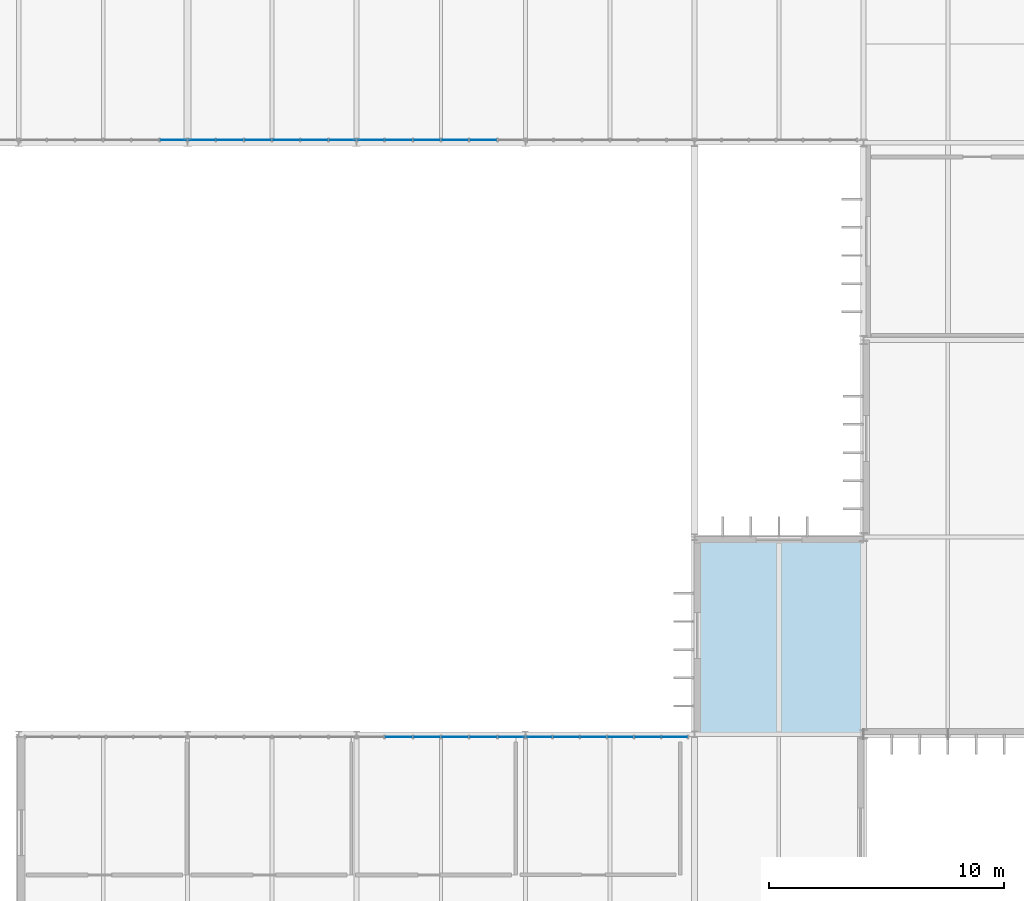
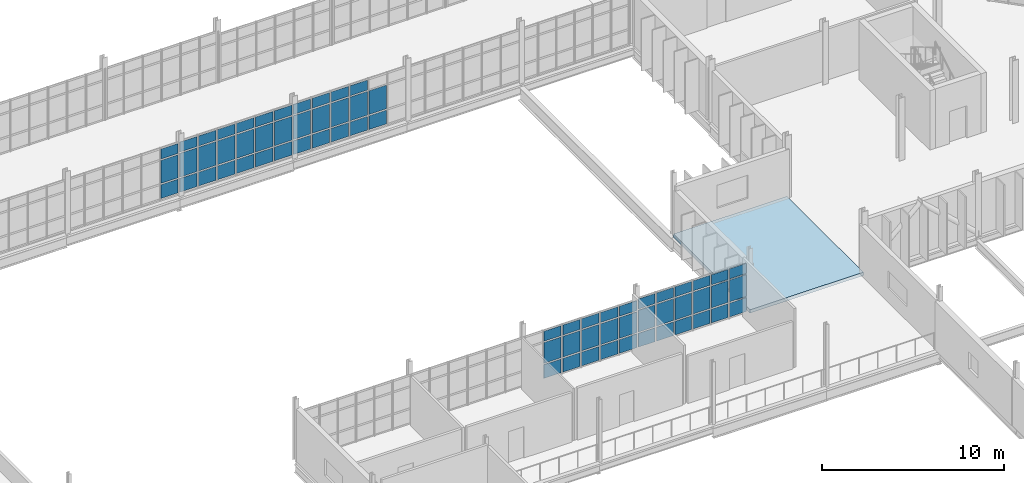
# One storey, part 70 of 119: 68 plates, 1 slab, 5 elements without a shape of their own.
"""IFC4 building model written with IfcOpenShell, lengths in metres."""

from ifc_helpers import new_model, si_unit, direction, frame, origin, origin_2d, place, context, subcontext, project, spatial, polyline, rectangle, outline, extrude, material, layer, layer_set, type_object, element, aggregate, save


model = new_model("IFC4")

# Units and contexts
model_context = context("Model", 3, precision=1e-05, world=origin(), true_north=direction((0.0, 1.0)))
body_context = subcontext(model_context, "Body", "Model", "MODEL_VIEW")
ifc_project = project(units=[si_unit("LENGTHUNIT", "METRE"), si_unit("AREAUNIT", "SQUARE_METRE"), si_unit("VOLUMEUNIT", "CUBIC_METRE"), si_unit("PLANEANGLEUNIT", "RADIAN"), si_unit("MASSUNIT", "GRAM", prefix="KILO")], contexts=[model_context])

# Site, building, storey
site_placement = place(None, origin())
site = spatial("IfcSite", under=ifc_project, at=site_placement, CompositionType="ELEMENT")
building_placement = place(site_placement, origin())
building = spatial("IfcBuilding", under=site, at=building_placement, Name="Qelthora Terrace Specialist Clinic", CompositionType="ELEMENT")
storey_placement = place(building_placement, frame((0.0, 0.0, 4.800048828125)))
storey = spatial("IfcBuildingStorey", under=building, at=storey_placement, Name="L01", CompositionType="ELEMENT", Elevation=4.800048828125)

# Curtain wall, plates
ifc_material_1 = material(Name="Aluminium anodized bronze", Category="aluminium")
curtain_wall_type_1 = type_object("IfcCurtainWallType", Name="CW-HALL-L01", PredefinedType="NOTDEFINED", material=ifc_material_1)
curtain_wall_1_placement = place(storey_placement, origin())
curtain_wall_1 = element("IfcCurtainWall", 1, at=curtain_wall_1_placement, inside=storey, type_object=curtain_wall_type_1, Name="Curtain wall CW-L01-226", PredefinedType="NOTDEFINED")
ifc_material_2 = material(Name="Low-E triple-silver insulating glass", Category="glass")
ifc_layer_1 = layer(ifc_material_2, 0.035888671875)
ifc_layer_set_1 = layer_set([ifc_layer_1], Name="Low-E triple-silver insulating glass")
plate_type = type_object("IfcPlateType", Name="CWP-IGU-36", PredefinedType="CURTAIN_PANEL", material=ifc_layer_set_1)
plate_1_placement = place(storey_placement, frame((73.800048828125, 33.47998046875, 0.0849609375), z_axis=(0.0, 0.0, 1.0), x_axis=(1.0, 0.0, 0.0)))
plate_1 = element("IfcPlate", 2, at=plate_1_placement, type_object=plate_type, Name="CW-L01-226 glazed panel 4", PredefinedType="CURTAIN_PANEL", context=body_context, shape_type="SweptSolid", body=[
    extrude(rectangle(XDim=1.10009765625, YDim=0.035888671875, at=origin_2d()), origin(), (0.0, 0.0, 1.0), 0.919921875),
])
plate_2_placement = place(storey_placement, frame((73.800048828125, 33.47998046875, 1.09521484375), z_axis=(0.0, 0.0, 1.0), x_axis=(1.0, 0.0, 0.0)))
plate_2 = element("IfcPlate", 3, at=plate_2_placement, type_object=plate_type, Name="CW-L01-226 glazed panel 5", PredefinedType="CURTAIN_PANEL", context=body_context, shape_type="SweptSolid", body=[
    extrude(rectangle(XDim=1.10009765625, YDim=0.035888671875, at=origin_2d()), origin(), (0.0, 0.0, 1.0), 1.389892578125),
])
plate_3_placement = place(storey_placement, frame((73.800048828125, 33.47998046875, 2.574951171875), z_axis=(0.0, 0.0, 1.0), x_axis=(1.0, 0.0, 0.0)))
plate_3 = element("IfcPlate", 4, at=plate_3_placement, type_object=plate_type, Name="CW-L01-226 glazed panel 6", PredefinedType="CURTAIN_PANEL", context=body_context, shape_type="SweptSolid", body=[
    extrude(rectangle(XDim=1.10009765625, YDim=0.035888671875, at=origin_2d()), origin(), (0.0, 0.0, 1.0), 0.669921875),
])
plate_4_placement = place(storey_placement, frame((75.0, 33.47998046875, 0.0849609375), z_axis=(0.0, 0.0, 1.0), x_axis=(1.0, 0.0, 0.0)))
plate_4 = element("IfcPlate", 5, at=plate_4_placement, type_object=plate_type, Name="CW-L01-226 glazed panel 7", PredefinedType="CURTAIN_PANEL", context=body_context, shape_type="SweptSolid", body=[
    extrude(rectangle(XDim=1.10009765625, YDim=0.035888671875, at=origin_2d()), origin(), (0.0, 0.0, 1.0), 0.919921875),
])
plate_5_placement = place(storey_placement, frame((75.0, 33.47998046875, 1.09521484375), z_axis=(0.0, 0.0, 1.0), x_axis=(1.0, 0.0, 0.0)))
plate_5 = element("IfcPlate", 6, at=plate_5_placement, type_object=plate_type, Name="CW-L01-226 glazed panel 8", PredefinedType="CURTAIN_PANEL", context=body_context, shape_type="SweptSolid", body=[
    extrude(rectangle(XDim=1.10009765625, YDim=0.035888671875, at=origin_2d()), origin(), (0.0, 0.0, 1.0), 1.389892578125),
])
plate_6_placement = place(storey_placement, frame((75.0, 33.47998046875, 2.574951171875), z_axis=(0.0, 0.0, 1.0), x_axis=(1.0, 0.0, 0.0)))
plate_6 = element("IfcPlate", 7, at=plate_6_placement, type_object=plate_type, Name="CW-L01-226 glazed panel 9", PredefinedType="CURTAIN_PANEL", context=body_context, shape_type="SweptSolid", body=[
    extrude(rectangle(XDim=1.10009765625, YDim=0.035888671875, at=origin_2d()), origin(), (0.0, 0.0, 1.0), 0.669921875),
])
plate_7_placement = place(storey_placement, frame((76.199951171875, 33.47998046875, 0.0849609375), z_axis=(0.0, 0.0, 1.0), x_axis=(1.0, 0.0, 0.0)))
plate_7 = element("IfcPlate", 8, at=plate_7_placement, type_object=plate_type, Name="CW-L01-226 glazed panel 10", PredefinedType="CURTAIN_PANEL", context=body_context, shape_type="SweptSolid", body=[
    extrude(rectangle(XDim=1.10009765625, YDim=0.035888671875, at=origin_2d()), origin(), (0.0, 0.0, 1.0), 0.919921875),
])
plate_8_placement = place(storey_placement, frame((76.199951171875, 33.47998046875, 1.09521484375), z_axis=(0.0, 0.0, 1.0), x_axis=(1.0, 0.0, 0.0)))
plate_8 = element("IfcPlate", 9, at=plate_8_placement, type_object=plate_type, Name="CW-L01-226 glazed panel 11", PredefinedType="CURTAIN_PANEL", context=body_context, shape_type="SweptSolid", body=[
    extrude(rectangle(XDim=1.10009765625, YDim=0.035888671875, at=origin_2d()), origin(), (0.0, 0.0, 1.0), 1.389892578125),
])
plate_9_placement = place(storey_placement, frame((76.199951171875, 33.47998046875, 2.574951171875), z_axis=(0.0, 0.0, 1.0), x_axis=(1.0, 0.0, 0.0)))
plate_9 = element("IfcPlate", 10, at=plate_9_placement, type_object=plate_type, Name="CW-L01-226 glazed panel 12", PredefinedType="CURTAIN_PANEL", context=body_context, shape_type="SweptSolid", body=[
    extrude(rectangle(XDim=1.10009765625, YDim=0.035888671875, at=origin_2d()), origin(), (0.0, 0.0, 1.0), 0.669921875),
])
plate_10_placement = place(storey_placement, frame((77.39990234375, 33.47998046875, 0.0849609375), z_axis=(0.0, 0.0, 1.0), x_axis=(1.0, 0.0, 0.0)))
plate_10 = element("IfcPlate", 11, at=plate_10_placement, type_object=plate_type, Name="CW-L01-226 glazed panel 13", PredefinedType="CURTAIN_PANEL", context=body_context, shape_type="SweptSolid", body=[
    extrude(rectangle(XDim=1.10009765625, YDim=0.035888671875, at=origin_2d()), origin(), (0.0, 0.0, 1.0), 0.919921875),
])
plate_11_placement = place(storey_placement, frame((77.39990234375, 33.47998046875, 1.09521484375), z_axis=(0.0, 0.0, 1.0), x_axis=(1.0, 0.0, 0.0)))
plate_11 = element("IfcPlate", 12, at=plate_11_placement, type_object=plate_type, Name="CW-L01-226 glazed panel 14", PredefinedType="CURTAIN_PANEL", context=body_context, shape_type="SweptSolid", body=[
    extrude(rectangle(XDim=1.10009765625, YDim=0.035888671875, at=origin_2d()), origin(), (0.0, 0.0, 1.0), 1.389892578125),
])
plate_12_placement = place(storey_placement, frame((77.39990234375, 33.47998046875, 2.574951171875), z_axis=(0.0, 0.0, 1.0), x_axis=(1.0, 0.0, 0.0)))
plate_12 = element("IfcPlate", 13, at=plate_12_placement, type_object=plate_type, Name="CW-L01-226 glazed panel 15", PredefinedType="CURTAIN_PANEL", context=body_context, shape_type="SweptSolid", body=[
    extrude(rectangle(XDim=1.10009765625, YDim=0.035888671875, at=origin_2d()), origin(), (0.0, 0.0, 1.0), 0.669921875),
])
plate_13_placement = place(storey_placement, frame((78.60009765625, 33.47998046875, 0.0849609375), z_axis=(0.0, 0.0, 1.0), x_axis=(1.0, 0.0, 0.0)))
plate_13 = element("IfcPlate", 14, at=plate_13_placement, type_object=plate_type, Name="CW-L01-226 glazed panel 16", PredefinedType="CURTAIN_PANEL", context=body_context, shape_type="SweptSolid", body=[
    extrude(rectangle(XDim=1.10009765625, YDim=0.035888671875, at=origin_2d()), origin(), (0.0, 0.0, 1.0), 0.919921875),
])
plate_14_placement = place(storey_placement, frame((78.60009765625, 33.47998046875, 1.09521484375), z_axis=(0.0, 0.0, 1.0), x_axis=(1.0, 0.0, 0.0)))
plate_14 = element("IfcPlate", 15, at=plate_14_placement, type_object=plate_type, Name="CW-L01-226 glazed panel 17", PredefinedType="CURTAIN_PANEL", context=body_context, shape_type="SweptSolid", body=[
    extrude(rectangle(XDim=1.10009765625, YDim=0.035888671875, at=origin_2d()), origin(), (0.0, 0.0, 1.0), 1.389892578125),
])
plate_15_placement = place(storey_placement, frame((78.60009765625, 33.47998046875, 2.574951171875), z_axis=(0.0, 0.0, 1.0), x_axis=(1.0, 0.0, 0.0)))
plate_15 = element("IfcPlate", 16, at=plate_15_placement, type_object=plate_type, Name="CW-L01-226 glazed panel 18", PredefinedType="CURTAIN_PANEL", context=body_context, shape_type="SweptSolid", body=[
    extrude(rectangle(XDim=1.10009765625, YDim=0.035888671875, at=origin_2d()), origin(), (0.0, 0.0, 1.0), 0.669921875),
])
aggregate(curtain_wall_1, [plate_1, plate_2, plate_3, plate_4, plate_5, plate_6, plate_7, plate_8, plate_9, plate_10, plate_11, plate_12, plate_13, plate_14, plate_15])

curtain_wall_2_placement = place(storey_placement, origin())
curtain_wall_2 = element("IfcCurtainWall", 17, at=curtain_wall_2_placement, inside=storey, type_object=curtain_wall_type_1, Name="Curtain wall CW-L01-227", PredefinedType="NOTDEFINED")
plate_16_placement = place(storey_placement, frame((79.7783203125, 33.47998046875, 0.0849609375), z_axis=(0.0, 0.0, 1.0), x_axis=(1.0, 0.0, 0.0)))
plate_16 = element("IfcPlate", 18, at=plate_16_placement, type_object=plate_type, Name="CW-L01-227 glazed panel 1", PredefinedType="CURTAIN_PANEL", context=body_context, shape_type="SweptSolid", body=[
    extrude(rectangle(XDim=1.056640625, YDim=0.035888671875, at=origin_2d()), origin(), (0.0, 0.0, 1.0), 0.919921875),
])
plate_17_placement = place(storey_placement, frame((79.7783203125, 33.47998046875, 1.094970703125), z_axis=(0.0, 0.0, 1.0), x_axis=(1.0, 0.0, 0.0)))
plate_17 = element("IfcPlate", 19, at=plate_17_placement, type_object=plate_type, Name="CW-L01-227 glazed panel 2", PredefinedType="CURTAIN_PANEL", context=body_context, shape_type="SweptSolid", body=[
    extrude(rectangle(XDim=1.056640625, YDim=0.035888671875, at=origin_2d()), origin(), (0.0, 0.0, 1.0), 1.4580078125),
])
plate_18_placement = place(storey_placement, frame((79.7783203125, 33.47998046875, 2.64306640625), z_axis=(0.0, 0.0, 1.0), x_axis=(1.0, 0.0, 0.0)))
plate_18 = element("IfcPlate", 20, at=plate_18_placement, type_object=plate_type, Name="CW-L01-227 glazed panel 3", PredefinedType="CURTAIN_PANEL", context=body_context, shape_type="SweptSolid", body=[
    extrude(rectangle(XDim=1.056640625, YDim=0.035888671875, at=origin_2d()), origin(), (0.0, 0.0, 1.0), 0.669921875),
])
plate_19_placement = place(storey_placement, frame((80.93505859375, 33.47998046875, 0.0849609375), z_axis=(0.0, 0.0, 1.0), x_axis=(1.0, 0.0, 0.0)))
plate_19 = element("IfcPlate", 21, at=plate_19_placement, type_object=plate_type, Name="CW-L01-227 glazed panel 4", PredefinedType="CURTAIN_PANEL", context=body_context, shape_type="SweptSolid", body=[
    extrude(rectangle(XDim=1.056640625, YDim=0.035888671875, at=origin_2d()), origin(), (0.0, 0.0, 1.0), 0.919921875),
])
plate_20_placement = place(storey_placement, frame((80.93505859375, 33.47998046875, 1.094970703125), z_axis=(0.0, 0.0, 1.0), x_axis=(1.0, 0.0, 0.0)))
plate_20 = element("IfcPlate", 22, at=plate_20_placement, type_object=plate_type, Name="CW-L01-227 glazed panel 5", PredefinedType="CURTAIN_PANEL", context=body_context, shape_type="SweptSolid", body=[
    extrude(rectangle(XDim=1.056640625, YDim=0.035888671875, at=origin_2d()), origin(), (0.0, 0.0, 1.0), 1.4580078125),
])
plate_21_placement = place(storey_placement, frame((80.93505859375, 33.47998046875, 2.64306640625), z_axis=(0.0, 0.0, 1.0), x_axis=(1.0, 0.0, 0.0)))
plate_21 = element("IfcPlate", 23, at=plate_21_placement, type_object=plate_type, Name="CW-L01-227 glazed panel 6", PredefinedType="CURTAIN_PANEL", context=body_context, shape_type="SweptSolid", body=[
    extrude(rectangle(XDim=1.056640625, YDim=0.035888671875, at=origin_2d()), origin(), (0.0, 0.0, 1.0), 0.669921875),
])
plate_22_placement = place(storey_placement, frame((82.091552734375, 33.47998046875, 0.0849609375), z_axis=(0.0, 0.0, 1.0), x_axis=(1.0, 0.0, 0.0)))
plate_22 = element("IfcPlate", 24, at=plate_22_placement, type_object=plate_type, Name="CW-L01-227 glazed panel 7", PredefinedType="CURTAIN_PANEL", context=body_context, shape_type="SweptSolid", body=[
    extrude(rectangle(XDim=1.056640625, YDim=0.035888671875, at=origin_2d()), origin(), (0.0, 0.0, 1.0), 0.919921875),
])
plate_23_placement = place(storey_placement, frame((82.091552734375, 33.47998046875, 1.094970703125), z_axis=(0.0, 0.0, 1.0), x_axis=(1.0, 0.0, 0.0)))
plate_23 = element("IfcPlate", 25, at=plate_23_placement, type_object=plate_type, Name="CW-L01-227 glazed panel 8", PredefinedType="CURTAIN_PANEL", context=body_context, shape_type="SweptSolid", body=[
    extrude(rectangle(XDim=1.056640625, YDim=0.035888671875, at=origin_2d()), origin(), (0.0, 0.0, 1.0), 1.4580078125),
])
plate_24_placement = place(storey_placement, frame((82.091552734375, 33.47998046875, 2.64306640625), z_axis=(0.0, 0.0, 1.0), x_axis=(1.0, 0.0, 0.0)))
plate_24 = element("IfcPlate", 26, at=plate_24_placement, type_object=plate_type, Name="CW-L01-227 glazed panel 9", PredefinedType="CURTAIN_PANEL", context=body_context, shape_type="SweptSolid", body=[
    extrude(rectangle(XDim=1.056640625, YDim=0.035888671875, at=origin_2d()), origin(), (0.0, 0.0, 1.0), 0.669921875),
])
plate_25_placement = place(storey_placement, frame((83.248291015625, 33.47998046875, 0.0849609375), z_axis=(0.0, 0.0, 1.0), x_axis=(1.0, 0.0, 0.0)))
plate_25 = element("IfcPlate", 27, at=plate_25_placement, type_object=plate_type, Name="CW-L01-227 glazed panel 10", PredefinedType="CURTAIN_PANEL", context=body_context, shape_type="SweptSolid", body=[
    extrude(rectangle(XDim=1.056640625, YDim=0.035888671875, at=origin_2d()), origin(), (0.0, 0.0, 1.0), 0.919921875),
])
plate_26_placement = place(storey_placement, frame((83.248291015625, 33.47998046875, 1.094970703125), z_axis=(0.0, 0.0, 1.0), x_axis=(1.0, 0.0, 0.0)))
plate_26 = element("IfcPlate", 28, at=plate_26_placement, type_object=plate_type, Name="CW-L01-227 glazed panel 11", PredefinedType="CURTAIN_PANEL", context=body_context, shape_type="SweptSolid", body=[
    extrude(rectangle(XDim=1.056640625, YDim=0.035888671875, at=origin_2d()), origin(), (0.0, 0.0, 1.0), 1.4580078125),
])
plate_27_placement = place(storey_placement, frame((83.248291015625, 33.47998046875, 2.64306640625), z_axis=(0.0, 0.0, 1.0), x_axis=(1.0, 0.0, 0.0)))
plate_27 = element("IfcPlate", 29, at=plate_27_placement, type_object=plate_type, Name="CW-L01-227 glazed panel 12", PredefinedType="CURTAIN_PANEL", context=body_context, shape_type="SweptSolid", body=[
    extrude(rectangle(XDim=1.056640625, YDim=0.035888671875, at=origin_2d()), origin(), (0.0, 0.0, 1.0), 0.669921875),
])
plate_28_placement = place(storey_placement, frame((84.405029296875, 33.47998046875, 0.0849609375), z_axis=(0.0, 0.0, 1.0), x_axis=(1.0, 0.0, 0.0)))
plate_28 = element("IfcPlate", 30, at=plate_28_placement, type_object=plate_type, Name="CW-L01-227 glazed panel 13", PredefinedType="CURTAIN_PANEL", context=body_context, shape_type="SweptSolid", body=[
    extrude(rectangle(XDim=1.056640625, YDim=0.035888671875, at=origin_2d()), origin(), (0.0, 0.0, 1.0), 0.919921875),
])
plate_29_placement = place(storey_placement, frame((84.405029296875, 33.47998046875, 1.094970703125), z_axis=(0.0, 0.0, 1.0), x_axis=(1.0, 0.0, 0.0)))
plate_29 = element("IfcPlate", 31, at=plate_29_placement, type_object=plate_type, Name="CW-L01-227 glazed panel 14", PredefinedType="CURTAIN_PANEL", context=body_context, shape_type="SweptSolid", body=[
    extrude(rectangle(XDim=1.056640625, YDim=0.035888671875, at=origin_2d()), origin(), (0.0, 0.0, 1.0), 1.4580078125),
])
plate_30_placement = place(storey_placement, frame((84.405029296875, 33.47998046875, 2.64306640625), z_axis=(0.0, 0.0, 1.0), x_axis=(1.0, 0.0, 0.0)))
plate_30 = element("IfcPlate", 32, at=plate_30_placement, type_object=plate_type, Name="CW-L01-227 glazed panel 15", PredefinedType="CURTAIN_PANEL", context=body_context, shape_type="SweptSolid", body=[
    extrude(rectangle(XDim=1.056640625, YDim=0.035888671875, at=origin_2d()), origin(), (0.0, 0.0, 1.0), 0.669921875),
])
plate_31_placement = place(storey_placement, frame((85.561767578125, 33.47998046875, 0.0849609375), z_axis=(0.0, 0.0, 1.0), x_axis=(1.0, 0.0, 0.0)))
plate_31 = element("IfcPlate", 33, at=plate_31_placement, type_object=plate_type, Name="CW-L01-227 glazed panel 16", PredefinedType="CURTAIN_PANEL", context=body_context, shape_type="SweptSolid", body=[
    extrude(rectangle(XDim=1.056640625, YDim=0.035888671875, at=origin_2d()), origin(), (0.0, 0.0, 1.0), 0.919921875),
])
plate_32_placement = place(storey_placement, frame((85.561767578125, 33.47998046875, 1.094970703125), z_axis=(0.0, 0.0, 1.0), x_axis=(1.0, 0.0, 0.0)))
plate_32 = element("IfcPlate", 34, at=plate_32_placement, type_object=plate_type, Name="CW-L01-227 glazed panel 17", PredefinedType="CURTAIN_PANEL", context=body_context, shape_type="SweptSolid", body=[
    extrude(rectangle(XDim=1.056640625, YDim=0.035888671875, at=origin_2d()), origin(), (0.0, 0.0, 1.0), 1.4580078125),
])
plate_33_placement = place(storey_placement, frame((85.561767578125, 33.47998046875, 2.64306640625), z_axis=(0.0, 0.0, 1.0), x_axis=(1.0, 0.0, 0.0)))
plate_33 = element("IfcPlate", 35, at=plate_33_placement, type_object=plate_type, Name="CW-L01-227 glazed panel 18", PredefinedType="CURTAIN_PANEL", context=body_context, shape_type="SweptSolid", body=[
    extrude(rectangle(XDim=1.056640625, YDim=0.035888671875, at=origin_2d()), origin(), (0.0, 0.0, 1.0), 0.669921875),
])
aggregate(curtain_wall_2, [plate_16, plate_17, plate_18, plate_19, plate_20, plate_21, plate_22, plate_23, plate_24, plate_25, plate_26, plate_27, plate_28, plate_29, plate_30, plate_31, plate_32, plate_33])

curtain_wall_type_2 = type_object("IfcCurtainWallType", Name="CW-BRG-L01", PredefinedType="NOTDEFINED", material=ifc_material_1)
curtain_wall_3_placement = place(storey_placement, origin())
curtain_wall_3 = element("IfcCurtainWall", 36, at=curtain_wall_3_placement, inside=storey, type_object=curtain_wall_type_2, Name="Curtain wall CW-L01-229", PredefinedType="NOTDEFINED")
plate_34_placement = place(storey_placement, frame((64.199951171875, 58.919921875, 0.0849609375), z_axis=(0.0, 0.0, 1.0), x_axis=(1.0, 0.0, 0.0)))
plate_34 = element("IfcPlate", 37, at=plate_34_placement, type_object=plate_type, Name="CW-L01-229 glazed panel 16", PredefinedType="CURTAIN_PANEL", context=body_context, shape_type="SweptSolid", body=[
    extrude(rectangle(XDim=1.10009765625, YDim=0.035888671875, at=origin_2d()), origin(), (0.0, 0.0, 1.0), 0.919921875),
])
plate_35_placement = place(storey_placement, frame((64.199951171875, 58.919921875, 1.094970703125), z_axis=(0.0, 0.0, 1.0), x_axis=(1.0, 0.0, 0.0)))
plate_35 = element("IfcPlate", 38, at=plate_35_placement, type_object=plate_type, Name="CW-L01-229 glazed panel 17", PredefinedType="CURTAIN_PANEL", context=body_context, shape_type="SweptSolid", body=[
    extrude(rectangle(XDim=1.10009765625, YDim=0.035888671875, at=origin_2d()), origin(), (0.0, 0.0, 1.0), 1.5419921875),
])
plate_36_placement = place(storey_placement, frame((64.199951171875, 58.919921875, 2.72705078125), z_axis=(0.0, 0.0, 1.0), x_axis=(1.0, 0.0, 0.0)))
plate_36 = element("IfcPlate", 39, at=plate_36_placement, type_object=plate_type, Name="CW-L01-229 glazed panel 18", PredefinedType="CURTAIN_PANEL", context=body_context, shape_type="SweptSolid", body=[
    extrude(rectangle(XDim=1.10009765625, YDim=0.035888671875, at=origin_2d()), origin(), (0.0, 0.0, 1.0), 0.669921875),
])
aggregate(curtain_wall_3, [plate_34, plate_35, plate_36])

curtain_wall_4_placement = place(storey_placement, origin())
curtain_wall_4 = element("IfcCurtainWall", 40, at=curtain_wall_4_placement, inside=storey, type_object=curtain_wall_type_2, Name="Curtain wall CW-L01-230", PredefinedType="NOTDEFINED")
plate_37_placement = place(storey_placement, frame((65.39990234375, 58.919921875, 0.0849609375), z_axis=(0.0, 0.0, 1.0), x_axis=(1.0, 0.0, 0.0)))
plate_37 = element("IfcPlate", 41, at=plate_37_placement, type_object=plate_type, Name="CW-L01-230 glazed panel 1", PredefinedType="CURTAIN_PANEL", context=body_context, shape_type="SweptSolid", body=[
    extrude(rectangle(XDim=1.10009765625, YDim=0.035888671875, at=origin_2d()), origin(), (0.0, 0.0, 1.0), 0.919921875),
])
plate_38_placement = place(storey_placement, frame((65.39990234375, 58.919921875, 1.0947265625), z_axis=(0.0, 0.0, 1.0), x_axis=(1.0, 0.0, 0.0)))
plate_38 = element("IfcPlate", 42, at=plate_38_placement, type_object=plate_type, Name="CW-L01-230 glazed panel 2", PredefinedType="CURTAIN_PANEL", context=body_context, shape_type="SweptSolid", body=[
    extrude(rectangle(XDim=1.10009765625, YDim=0.035888671875, at=origin_2d()), origin(), (0.0, 0.0, 1.0), 1.589111328125),
])
plate_39_placement = place(storey_placement, frame((65.39990234375, 58.919921875, 2.77392578125), z_axis=(0.0, 0.0, 1.0), x_axis=(1.0, 0.0, 0.0)))
plate_39 = element("IfcPlate", 43, at=plate_39_placement, type_object=plate_type, Name="CW-L01-230 glazed panel 3", PredefinedType="CURTAIN_PANEL", context=body_context, shape_type="SweptSolid", body=[
    extrude(rectangle(XDim=1.10009765625, YDim=0.035888671875, at=origin_2d()), origin(), (0.0, 0.0, 1.0), 0.669921875),
])
plate_40_placement = place(storey_placement, frame((66.60009765625, 58.919921875, 0.0849609375), z_axis=(0.0, 0.0, 1.0), x_axis=(1.0, 0.0, 0.0)))
plate_40 = element("IfcPlate", 44, at=plate_40_placement, type_object=plate_type, Name="CW-L01-230 glazed panel 4", PredefinedType="CURTAIN_PANEL", context=body_context, shape_type="SweptSolid", body=[
    extrude(rectangle(XDim=1.10009765625, YDim=0.035888671875, at=origin_2d()), origin(), (0.0, 0.0, 1.0), 0.919921875),
])
plate_41_placement = place(storey_placement, frame((66.60009765625, 58.919921875, 1.0947265625), z_axis=(0.0, 0.0, 1.0), x_axis=(1.0, 0.0, 0.0)))
plate_41 = element("IfcPlate", 45, at=plate_41_placement, type_object=plate_type, Name="CW-L01-230 glazed panel 5", PredefinedType="CURTAIN_PANEL", context=body_context, shape_type="SweptSolid", body=[
    extrude(rectangle(XDim=1.10009765625, YDim=0.035888671875, at=origin_2d()), origin(), (0.0, 0.0, 1.0), 1.589111328125),
])
plate_42_placement = place(storey_placement, frame((66.60009765625, 58.919921875, 2.77392578125), z_axis=(0.0, 0.0, 1.0), x_axis=(1.0, 0.0, 0.0)))
plate_42 = element("IfcPlate", 46, at=plate_42_placement, type_object=plate_type, Name="CW-L01-230 glazed panel 6", PredefinedType="CURTAIN_PANEL", context=body_context, shape_type="SweptSolid", body=[
    extrude(rectangle(XDim=1.10009765625, YDim=0.035888671875, at=origin_2d()), origin(), (0.0, 0.0, 1.0), 0.669921875),
])
plate_43_placement = place(storey_placement, frame((67.800048828125, 58.919921875, 0.0849609375), z_axis=(0.0, 0.0, 1.0), x_axis=(1.0, 0.0, 0.0)))
plate_43 = element("IfcPlate", 47, at=plate_43_placement, type_object=plate_type, Name="CW-L01-230 glazed panel 7", PredefinedType="CURTAIN_PANEL", context=body_context, shape_type="SweptSolid", body=[
    extrude(rectangle(XDim=1.10009765625, YDim=0.035888671875, at=origin_2d()), origin(), (0.0, 0.0, 1.0), 0.919921875),
])
plate_44_placement = place(storey_placement, frame((67.800048828125, 58.919921875, 1.0947265625), z_axis=(0.0, 0.0, 1.0), x_axis=(1.0, 0.0, 0.0)))
plate_44 = element("IfcPlate", 48, at=plate_44_placement, type_object=plate_type, Name="CW-L01-230 glazed panel 8", PredefinedType="CURTAIN_PANEL", context=body_context, shape_type="SweptSolid", body=[
    extrude(rectangle(XDim=1.10009765625, YDim=0.035888671875, at=origin_2d()), origin(), (0.0, 0.0, 1.0), 1.589111328125),
])
plate_45_placement = place(storey_placement, frame((67.800048828125, 58.919921875, 2.77392578125), z_axis=(0.0, 0.0, 1.0), x_axis=(1.0, 0.0, 0.0)))
plate_45 = element("IfcPlate", 49, at=plate_45_placement, type_object=plate_type, Name="CW-L01-230 glazed panel 9", PredefinedType="CURTAIN_PANEL", context=body_context, shape_type="SweptSolid", body=[
    extrude(rectangle(XDim=1.10009765625, YDim=0.035888671875, at=origin_2d()), origin(), (0.0, 0.0, 1.0), 0.669921875),
])
plate_46_placement = place(storey_placement, frame((69.0, 58.919921875, 0.0849609375), z_axis=(0.0, 0.0, 1.0), x_axis=(1.0, 0.0, 0.0)))
plate_46 = element("IfcPlate", 50, at=plate_46_placement, type_object=plate_type, Name="CW-L01-230 glazed panel 10", PredefinedType="CURTAIN_PANEL", context=body_context, shape_type="SweptSolid", body=[
    extrude(rectangle(XDim=1.10009765625, YDim=0.035888671875, at=origin_2d()), origin(), (0.0, 0.0, 1.0), 0.919921875),
])
plate_47_placement = place(storey_placement, frame((69.0, 58.919921875, 1.0947265625), z_axis=(0.0, 0.0, 1.0), x_axis=(1.0, 0.0, 0.0)))
plate_47 = element("IfcPlate", 51, at=plate_47_placement, type_object=plate_type, Name="CW-L01-230 glazed panel 11", PredefinedType="CURTAIN_PANEL", context=body_context, shape_type="SweptSolid", body=[
    extrude(rectangle(XDim=1.10009765625, YDim=0.035888671875, at=origin_2d()), origin(), (0.0, 0.0, 1.0), 1.589111328125),
])
plate_48_placement = place(storey_placement, frame((69.0, 58.919921875, 2.77392578125), z_axis=(0.0, 0.0, 1.0), x_axis=(1.0, 0.0, 0.0)))
plate_48 = element("IfcPlate", 52, at=plate_48_placement, type_object=plate_type, Name="CW-L01-230 glazed panel 12", PredefinedType="CURTAIN_PANEL", context=body_context, shape_type="SweptSolid", body=[
    extrude(rectangle(XDim=1.10009765625, YDim=0.035888671875, at=origin_2d()), origin(), (0.0, 0.0, 1.0), 0.669921875),
])
plate_49_placement = place(storey_placement, frame((70.199951171875, 58.919921875, 0.0849609375), z_axis=(0.0, 0.0, 1.0), x_axis=(1.0, 0.0, 0.0)))
plate_49 = element("IfcPlate", 53, at=plate_49_placement, type_object=plate_type, Name="CW-L01-230 glazed panel 13", PredefinedType="CURTAIN_PANEL", context=body_context, shape_type="SweptSolid", body=[
    extrude(rectangle(XDim=1.10009765625, YDim=0.035888671875, at=origin_2d()), origin(), (0.0, 0.0, 1.0), 0.919921875),
])
plate_50_placement = place(storey_placement, frame((70.199951171875, 58.919921875, 1.0947265625), z_axis=(0.0, 0.0, 1.0), x_axis=(1.0, 0.0, 0.0)))
plate_50 = element("IfcPlate", 54, at=plate_50_placement, type_object=plate_type, Name="CW-L01-230 glazed panel 14", PredefinedType="CURTAIN_PANEL", context=body_context, shape_type="SweptSolid", body=[
    extrude(rectangle(XDim=1.10009765625, YDim=0.035888671875, at=origin_2d()), origin(), (0.0, 0.0, 1.0), 1.589111328125),
])
plate_51_placement = place(storey_placement, frame((70.199951171875, 58.919921875, 2.77392578125), z_axis=(0.0, 0.0, 1.0), x_axis=(1.0, 0.0, 0.0)))
plate_51 = element("IfcPlate", 55, at=plate_51_placement, type_object=plate_type, Name="CW-L01-230 glazed panel 15", PredefinedType="CURTAIN_PANEL", context=body_context, shape_type="SweptSolid", body=[
    extrude(rectangle(XDim=1.10009765625, YDim=0.035888671875, at=origin_2d()), origin(), (0.0, 0.0, 1.0), 0.669921875),
])
plate_52_placement = place(storey_placement, frame((71.39990234375, 58.919921875, 0.0849609375), z_axis=(0.0, 0.0, 1.0), x_axis=(1.0, 0.0, 0.0)))
plate_52 = element("IfcPlate", 56, at=plate_52_placement, type_object=plate_type, Name="CW-L01-230 glazed panel 16", PredefinedType="CURTAIN_PANEL", context=body_context, shape_type="SweptSolid", body=[
    extrude(rectangle(XDim=1.10009765625, YDim=0.035888671875, at=origin_2d()), origin(), (0.0, 0.0, 1.0), 0.919921875),
])
plate_53_placement = place(storey_placement, frame((71.39990234375, 58.919921875, 1.0947265625), z_axis=(0.0, 0.0, 1.0), x_axis=(1.0, 0.0, 0.0)))
plate_53 = element("IfcPlate", 57, at=plate_53_placement, type_object=plate_type, Name="CW-L01-230 glazed panel 17", PredefinedType="CURTAIN_PANEL", context=body_context, shape_type="SweptSolid", body=[
    extrude(rectangle(XDim=1.10009765625, YDim=0.035888671875, at=origin_2d()), origin(), (0.0, 0.0, 1.0), 1.589111328125),
])
plate_54_placement = place(storey_placement, frame((71.39990234375, 58.919921875, 2.77392578125), z_axis=(0.0, 0.0, 1.0), x_axis=(1.0, 0.0, 0.0)))
plate_54 = element("IfcPlate", 58, at=plate_54_placement, type_object=plate_type, Name="CW-L01-230 glazed panel 18", PredefinedType="CURTAIN_PANEL", context=body_context, shape_type="SweptSolid", body=[
    extrude(rectangle(XDim=1.10009765625, YDim=0.035888671875, at=origin_2d()), origin(), (0.0, 0.0, 1.0), 0.669921875),
])
aggregate(curtain_wall_4, [plate_37, plate_38, plate_39, plate_40, plate_41, plate_42, plate_43, plate_44, plate_45, plate_46, plate_47, plate_48, plate_49, plate_50, plate_51, plate_52, plate_53, plate_54])

curtain_wall_5_placement = place(storey_placement, origin())
curtain_wall_5 = element("IfcCurtainWall", 59, at=curtain_wall_5_placement, inside=storey, type_object=curtain_wall_type_2, Name="Curtain wall CW-L01-231", PredefinedType="NOTDEFINED")
plate_55_placement = place(storey_placement, frame((72.60009765625, 58.919921875, 0.0849609375), z_axis=(0.0, 0.0, 1.0), x_axis=(1.0, 0.0, 0.0)))
plate_55 = element("IfcPlate", 60, at=plate_55_placement, type_object=plate_type, Name="CW-L01-231 glazed panel 1", PredefinedType="CURTAIN_PANEL", context=body_context, shape_type="SweptSolid", body=[
    extrude(rectangle(XDim=1.10009765625, YDim=0.035888671875, at=origin_2d()), origin(), (0.0, 0.0, 1.0), 0.919921875),
])
plate_56_placement = place(storey_placement, frame((72.60009765625, 58.919921875, 1.0947265625), z_axis=(0.0, 0.0, 1.0), x_axis=(1.0, 0.0, 0.0)))
plate_56 = element("IfcPlate", 61, at=plate_56_placement, type_object=plate_type, Name="CW-L01-231 glazed panel 2", PredefinedType="CURTAIN_PANEL", context=body_context, shape_type="SweptSolid", body=[
    extrude(rectangle(XDim=1.10009765625, YDim=0.035888671875, at=origin_2d()), origin(), (0.0, 0.0, 1.0), 1.589111328125),
])
plate_57_placement = place(storey_placement, frame((72.60009765625, 58.919921875, 2.77392578125), z_axis=(0.0, 0.0, 1.0), x_axis=(1.0, 0.0, 0.0)))
plate_57 = element("IfcPlate", 62, at=plate_57_placement, type_object=plate_type, Name="CW-L01-231 glazed panel 3", PredefinedType="CURTAIN_PANEL", context=body_context, shape_type="SweptSolid", body=[
    extrude(rectangle(XDim=1.10009765625, YDim=0.035888671875, at=origin_2d()), origin(), (0.0, 0.0, 1.0), 0.669921875),
])
plate_58_placement = place(storey_placement, frame((73.800048828125, 58.919921875, 0.0849609375), z_axis=(0.0, 0.0, 1.0), x_axis=(1.0, 0.0, 0.0)))
plate_58 = element("IfcPlate", 63, at=plate_58_placement, type_object=plate_type, Name="CW-L01-231 glazed panel 4", PredefinedType="CURTAIN_PANEL", context=body_context, shape_type="SweptSolid", body=[
    extrude(rectangle(XDim=1.10009765625, YDim=0.035888671875, at=origin_2d()), origin(), (0.0, 0.0, 1.0), 0.919921875),
])
plate_59_placement = place(storey_placement, frame((73.800048828125, 58.919921875, 1.0947265625), z_axis=(0.0, 0.0, 1.0), x_axis=(1.0, 0.0, 0.0)))
plate_59 = element("IfcPlate", 64, at=plate_59_placement, type_object=plate_type, Name="CW-L01-231 glazed panel 5", PredefinedType="CURTAIN_PANEL", context=body_context, shape_type="SweptSolid", body=[
    extrude(rectangle(XDim=1.10009765625, YDim=0.035888671875, at=origin_2d()), origin(), (0.0, 0.0, 1.0), 1.589111328125),
])
plate_60_placement = place(storey_placement, frame((73.800048828125, 58.919921875, 2.77392578125), z_axis=(0.0, 0.0, 1.0), x_axis=(1.0, 0.0, 0.0)))
plate_60 = element("IfcPlate", 65, at=plate_60_placement, type_object=plate_type, Name="CW-L01-231 glazed panel 6", PredefinedType="CURTAIN_PANEL", context=body_context, shape_type="SweptSolid", body=[
    extrude(rectangle(XDim=1.10009765625, YDim=0.035888671875, at=origin_2d()), origin(), (0.0, 0.0, 1.0), 0.669921875),
])
plate_61_placement = place(storey_placement, frame((75.0, 58.919921875, 0.0849609375), z_axis=(0.0, 0.0, 1.0), x_axis=(1.0, 0.0, 0.0)))
plate_61 = element("IfcPlate", 66, at=plate_61_placement, type_object=plate_type, Name="CW-L01-231 glazed panel 7", PredefinedType="CURTAIN_PANEL", context=body_context, shape_type="SweptSolid", body=[
    extrude(rectangle(XDim=1.10009765625, YDim=0.035888671875, at=origin_2d()), origin(), (0.0, 0.0, 1.0), 0.919921875),
])
plate_62_placement = place(storey_placement, frame((75.0, 58.919921875, 1.0947265625), z_axis=(0.0, 0.0, 1.0), x_axis=(1.0, 0.0, 0.0)))
plate_62 = element("IfcPlate", 67, at=plate_62_placement, type_object=plate_type, Name="CW-L01-231 glazed panel 8", PredefinedType="CURTAIN_PANEL", context=body_context, shape_type="SweptSolid", body=[
    extrude(rectangle(XDim=1.10009765625, YDim=0.035888671875, at=origin_2d()), origin(), (0.0, 0.0, 1.0), 1.589111328125),
])
plate_63_placement = place(storey_placement, frame((75.0, 58.919921875, 2.77392578125), z_axis=(0.0, 0.0, 1.0), x_axis=(1.0, 0.0, 0.0)))
plate_63 = element("IfcPlate", 68, at=plate_63_placement, type_object=plate_type, Name="CW-L01-231 glazed panel 9", PredefinedType="CURTAIN_PANEL", context=body_context, shape_type="SweptSolid", body=[
    extrude(rectangle(XDim=1.10009765625, YDim=0.035888671875, at=origin_2d()), origin(), (0.0, 0.0, 1.0), 0.669921875),
])
plate_64_placement = place(storey_placement, frame((76.199951171875, 58.919921875, 0.0849609375), z_axis=(0.0, 0.0, 1.0), x_axis=(1.0, 0.0, 0.0)))
plate_64 = element("IfcPlate", 69, at=plate_64_placement, type_object=plate_type, Name="CW-L01-231 glazed panel 10", PredefinedType="CURTAIN_PANEL", context=body_context, shape_type="SweptSolid", body=[
    extrude(rectangle(XDim=1.10009765625, YDim=0.035888671875, at=origin_2d()), origin(), (0.0, 0.0, 1.0), 0.919921875),
])
plate_65_placement = place(storey_placement, frame((76.199951171875, 58.919921875, 1.0947265625), z_axis=(0.0, 0.0, 1.0), x_axis=(1.0, 0.0, 0.0)))
plate_65 = element("IfcPlate", 70, at=plate_65_placement, type_object=plate_type, Name="CW-L01-231 glazed panel 11", PredefinedType="CURTAIN_PANEL", context=body_context, shape_type="SweptSolid", body=[
    extrude(rectangle(XDim=1.10009765625, YDim=0.035888671875, at=origin_2d()), origin(), (0.0, 0.0, 1.0), 1.589111328125),
])
plate_66_placement = place(storey_placement, frame((76.199951171875, 58.919921875, 2.77392578125), z_axis=(0.0, 0.0, 1.0), x_axis=(1.0, 0.0, 0.0)))
plate_66 = element("IfcPlate", 71, at=plate_66_placement, type_object=plate_type, Name="CW-L01-231 glazed panel 12", PredefinedType="CURTAIN_PANEL", context=body_context, shape_type="SweptSolid", body=[
    extrude(rectangle(XDim=1.10009765625, YDim=0.035888671875, at=origin_2d()), origin(), (0.0, 0.0, 1.0), 0.669921875),
])
plate_67_placement = place(storey_placement, frame((77.39990234375, 58.919921875, 0.0849609375), z_axis=(0.0, 0.0, 1.0), x_axis=(1.0, 0.0, 0.0)))
plate_67 = element("IfcPlate", 72, at=plate_67_placement, type_object=plate_type, Name="CW-L01-231 glazed panel 13", PredefinedType="CURTAIN_PANEL", context=body_context, shape_type="SweptSolid", body=[
    extrude(rectangle(XDim=1.10009765625, YDim=0.035888671875, at=origin_2d()), origin(), (0.0, 0.0, 1.0), 0.919921875),
])
plate_68_placement = place(storey_placement, frame((77.39990234375, 58.919921875, 1.0947265625), z_axis=(0.0, 0.0, 1.0), x_axis=(1.0, 0.0, 0.0)))
plate_68 = element("IfcPlate", 73, at=plate_68_placement, type_object=plate_type, Name="CW-L01-231 glazed panel 14", PredefinedType="CURTAIN_PANEL", context=body_context, shape_type="SweptSolid", body=[
    extrude(rectangle(XDim=1.10009765625, YDim=0.035888671875, at=origin_2d()), origin(), (0.0, 0.0, 1.0), 1.589111328125),
])
aggregate(curtain_wall_5, [plate_55, plate_56, plate_57, plate_58, plate_59, plate_60, plate_61, plate_62, plate_63, plate_64, plate_65, plate_66, plate_67, plate_68])

# Slab
ifc_material_3 = material(Name="Concrete C30/37", Category="concrete")
ifc_layer_2 = layer(ifc_material_3, 0.219970703125)
ifc_layer_set_2 = layer_set([ifc_layer_2], Name="Concrete C30/37")
slab_type = type_object("IfcSlabType", Name="SLB-FLR-220-C30", PredefinedType="FLOOR", material=ifc_layer_set_2)
slab_placement = place(storey_placement, frame((0.0, 0.0, -0.219970703125)))
element("IfcSlab", 74, at=slab_placement, inside=storey, type_object=slab_type, Name="L01 V1 slab SLB-L01-V1LNK", PredefinedType="FLOOR", context=body_context, shape_type="SweptSolid", body=[
    extrude(outline(polyline([(86.39990234375, 42.0), (93.60009765625, 42.0), (93.60009765625, 33.60009765625), (86.39990234375, 33.60009765625), (86.39990234375, 42.0)])), origin(), (0.0, 0.0, 1.0), 0.219970703125),
])

save(model, "model.ifc")
